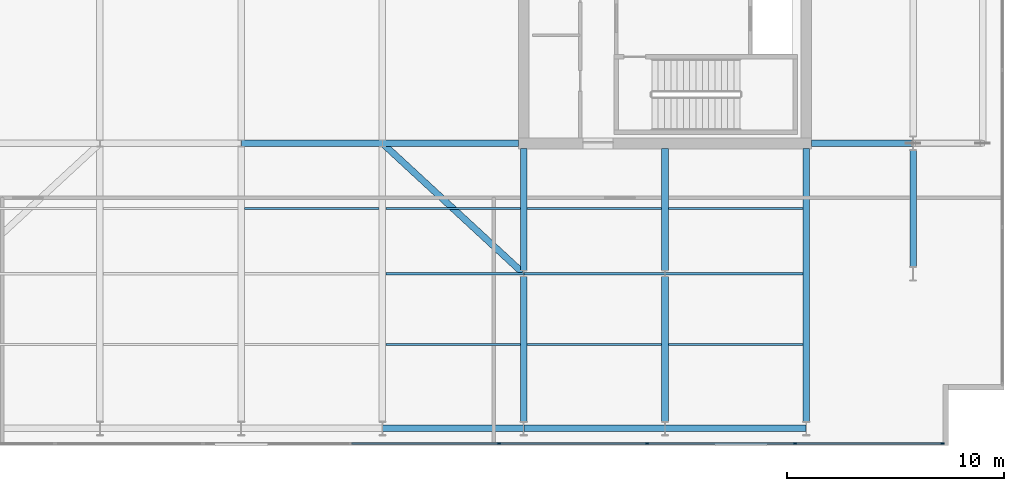
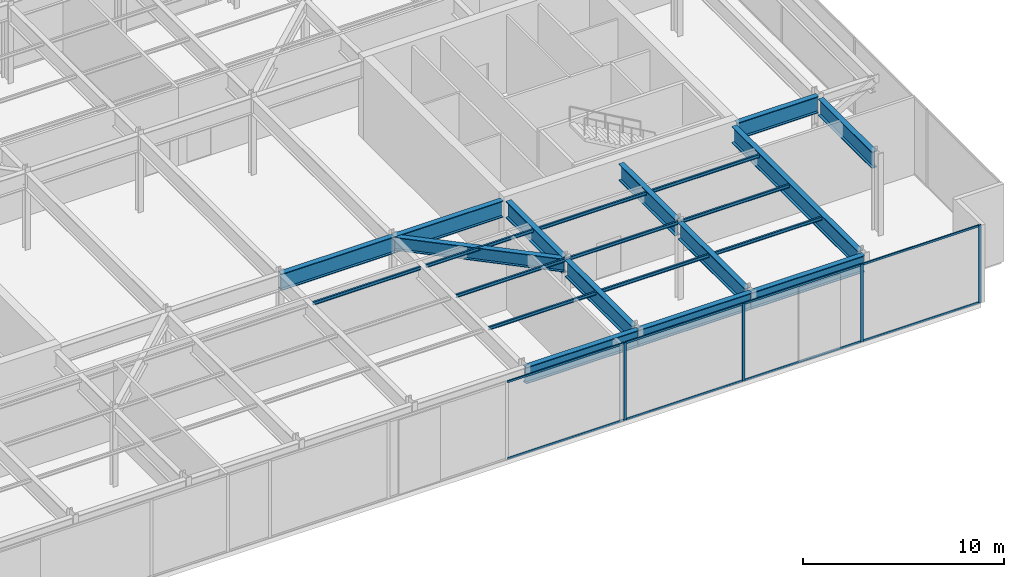
# One storey, part 9 of 23: 23 beams, 12 members, 1 element without a shape of its own.
"""IFC4 building model written with IfcOpenShell, lengths in metres."""

import ifcopenshell
import ifcopenshell.guid

model = None  # the IFC model being written
_history = None  # IfcOwnerHistory: only IFC2X3 demands one
_inside = {}  # id of a spatial element -> (the spatial element, [elements in it])
_under = {}  # id of a project, library or spatial element -> (it, [spatial elements below it])
_declared = {}  # id of a project -> (the project, [libraries it declares])
_typed = {}  # id of a type object -> (the type object, [elements of that type])
_made_of = {}  # id of a material, layer set ... -> (it, [elements and type objects made of it])


def new_model(schema):
    """Start an empty IFC model of exactly this schema.

    Asked for "IFC4X3", IfcOpenShell would pick the latest addendum, in which some entities
    have other attributes; the version numbers below select the first issue.
    IFC2X3 requires an IfcOwnerHistory on every rooted entity: one is made here for all.
    """
    global model, _history
    if schema == "IFC4X3":
        model = ifcopenshell.file(schema_version=(4, 3, 0, 0))
    else:
        model = ifcopenshell.file(schema=schema)
    _inside.clear()
    _under.clear()
    _declared.clear()
    _typed.clear()
    _made_of.clear()
    _history = None
    if model.schema == "IFC2X3":
        org = make("IfcOrganization", Name="unknown")
        user = make(
            "IfcPersonAndOrganization",
            ThePerson=make("IfcPerson", FamilyName="unknown"),
            TheOrganization=org,
        )
        app = make(
            "IfcApplication",
            ApplicationDeveloper=org,
            Version="unknown",
            ApplicationFullName="unknown",
            ApplicationIdentifier="unknown",
        )
        _history = make(
            "IfcOwnerHistory",
            OwningUser=user,
            OwningApplication=app,
            ChangeAction="ADDED",
            CreationDate=0,
        )
    return model


def make(cls, **values):
    """One entity of the class cls with the attributes given. An attribute that is None is left unset."""
    return model.create_entity(
        cls, **{name: value for name, value in values.items() if value is not None}
    )


def rooted(cls, **values):
    """An entity with a GlobalId (a new one), such as an element, a storey or a relation."""
    return make(cls, GlobalId=ifcopenshell.guid.new(), OwnerHistory=_history, **values)


def si_unit(unit_type, name, prefix=None):
    """IfcSIUnit, for example si_unit("LENGTHUNIT", "METRE", prefix="MILLI")."""
    return make("IfcSIUnit", UnitType=unit_type, Prefix=prefix, Name=name)


def assignment(units):
    """IfcUnitAssignment: the units of a project."""
    return None if units is None else make("IfcUnitAssignment", Units=units)


def point(xyz):
    """IfcCartesianPoint."""
    return None if xyz is None else make("IfcCartesianPoint", Coordinates=xyz)


def direction(xyz):
    """IfcDirection."""
    return None if xyz is None else make("IfcDirection", DirectionRatios=xyz)


def frame(location, z_axis=None, x_axis=None):
    """IfcAxis2Placement3D, a coordinate frame: its origin and axes. An axis left out is left unset."""
    return make(
        "IfcAxis2Placement3D",
        Location=point(location),
        Axis=direction(z_axis),
        RefDirection=direction(x_axis),
    )


def frame_2d(location, x_axis=None):
    """IfcAxis2Placement2D, a coordinate frame in the plane: its origin and x axis."""
    return make(
        "IfcAxis2Placement2D", Location=point(location), RefDirection=direction(x_axis)
    )


def origin():
    """The frame at (0, 0, 0) with its axes left unset."""
    return frame((0.0, 0.0, 0.0))


def origin_2d():
    """The frame at (0, 0) in the plane with its x axis left unset."""
    return frame_2d((0.0, 0.0))


def place(relative_to, where):
    """IfcLocalPlacement: puts the frame where relative to a parent placement (None: the world)."""
    return make(
        "IfcLocalPlacement", PlacementRelTo=relative_to, RelativePlacement=where
    )


def context(
    kind, dimensions, precision=None, world=None, true_north=None, identifier=None
):
    """IfcGeometricRepresentationContext, for example the 3D "Model" context."""
    return make(
        "IfcGeometricRepresentationContext",
        ContextIdentifier=identifier,
        ContextType=kind,
        CoordinateSpaceDimension=dimensions,
        Precision=precision,
        WorldCoordinateSystem=world,
        TrueNorth=true_north,
    )


def subcontext(parent, identifier, kind, view, scale=None):
    """IfcGeometricRepresentationSubContext, for example "Body" below "Model"."""
    return make(
        "IfcGeometricRepresentationSubContext",
        ContextIdentifier=identifier,
        ContextType=kind,
        ParentContext=parent,
        TargetScale=scale,
        TargetView=view,
    )


def project(units=None, contexts=None):
    """IfcProject with its units and contexts."""
    return rooted(
        "IfcProject",
        Name="project",
        RepresentationContexts=contexts,
        UnitsInContext=assignment(units),
    )


def spatial(cls, under=None, at=None, **own):
    """A site, building, storey or space (cls), placed at a placement, below another one or the project."""
    s = rooted(cls, ObjectPlacement=at, **own)
    if under is not None:
        _under.setdefault(under.id(), (under, []))[1].append(s)
    return s


def profile(cls, at=None, kind="AREA", **sizes):
    """A parametric profile (cls). Its sizes go by their IFC names, for example OverallWidth=200.0."""
    return make(cls, ProfileType=kind, Position=at, **sizes)


def rectangle(**sizes):
    """IfcRectangleProfileDef."""
    return profile("IfcRectangleProfileDef", **sizes)


def i_section(**sizes):
    """IfcIShapeProfileDef."""
    return profile("IfcIShapeProfileDef", **sizes)


def extrude(swept, where, along, depth):
    """IfcExtrudedAreaSolid: the profile swept, set in the frame where, extruded along a direction by depth."""
    return make(
        "IfcExtrudedAreaSolid",
        SweptArea=swept,
        Position=where,
        ExtrudedDirection=direction(along),
        Depth=depth,
    )


def shape(context_of_items, identifier, shape_type, items):
    """IfcShapeRepresentation: the items that make up one representation, for example the "Body"."""
    return make(
        "IfcShapeRepresentation",
        ContextOfItems=context_of_items,
        RepresentationIdentifier=identifier,
        RepresentationType=shape_type,
        Items=items,
    )


def material(Name=None, Category=None):
    """IfcMaterial."""
    return make("IfcMaterial", Name=Name, Category=Category)


def layer(
    of_material, thickness, ventilated=None, Name=None, Category=None, Priority=None
):
    """IfcMaterialLayer: one layer of a wall or slab, of a material (None: an air gap)."""
    return make(
        "IfcMaterialLayer",
        Material=of_material,
        LayerThickness=thickness,
        IsVentilated=ventilated,
        Name=Name,
        Category=Category,
        Priority=Priority,
    )


def layer_set(layers, Name=None):
    """IfcMaterialLayerSet."""
    return make("IfcMaterialLayerSet", MaterialLayers=layers, LayerSetName=Name)


def material_profile(
    of_material, cross_section, Name=None, Category=None, Priority=None
):
    """IfcMaterialProfile: a cross section and its material."""
    return make(
        "IfcMaterialProfile",
        Name=Name,
        Material=of_material,
        Profile=cross_section,
        Priority=Priority,
        Category=Category,
    )


def profile_set(profiles, Name=None, composite=None):
    """IfcMaterialProfileSet."""
    return make(
        "IfcMaterialProfileSet",
        Name=Name,
        MaterialProfiles=profiles,
        CompositeProfile=composite,
    )


def made_of(thing, what):
    """Note that an element or type object is made of a material, layer set ...; save() writes the relation."""
    if what is not None:
        _made_of.setdefault(what.id(), (what, []))[1].append(thing)
    return thing


def type_object(cls, material=None, **own):
    """A type object (cls), such as IfcWallType, which elements share."""
    return made_of(rooted(cls, **own), material)


def element(
    cls,
    number,
    at=None,
    inside=None,
    cuts=None,
    type_object=None,
    material=None,
    context=None,
    identifier="Body",
    shape_type=None,
    held_by="IfcProductDefinitionShape",
    body=None,
    shapes=None,
    **own,
):
    """One element of the class cls, such as IfcWall. Its Tag is "e" and its number.

    at: its placement. inside: the storey or other place that contains it. cuts: it is an
    opening in that element (IfcRelVoidsElement). A single representation is given by context,
    identifier, shape_type and body (its items); several are given by shapes. held_by: the class
    of the entity that holds the representations. save() writes the other relations.
    """
    e = rooted(cls, Tag="e%d" % number, ObjectPlacement=at, **own)
    if body is not None:
        shapes = [shape(context, identifier, shape_type, body)]
    if shapes is not None:
        e.Representation = make(held_by, Representations=shapes)
    if inside is not None:
        _inside.setdefault(inside.id(), (inside, []))[1].append(e)
    if cuts is not None:
        rooted(
            "IfcRelVoidsElement", RelatingBuildingElement=cuts, RelatedOpeningElement=e
        )
    if type_object is not None:
        _typed.setdefault(type_object.id(), (type_object, []))[1].append(e)
    return made_of(e, material)


def aggregate(whole, parts):
    """IfcRelAggregates: a whole, such as a stair, and the parts it consists of."""
    return rooted("IfcRelAggregates", RelatingObject=whole, RelatedObjects=parts)


def save(model, path):
    """Write the relations noted so far, then the file.

    IfcRelAggregates (storeys below a building ...), IfcRelContainedInSpatialStructure (elements
    in a storey), IfcRelDefinesByType, IfcRelAssociatesMaterial and IfcRelDeclares: one each for
    every whole, place, type object, material and project.
    """
    for whole, parts in _under.values():
        aggregate(whole, parts)
    for where, things in _inside.values():
        rooted(
            "IfcRelContainedInSpatialStructure",
            RelatedElements=things,
            RelatingStructure=where,
        )
    for kind, things in _typed.values():
        rooted("IfcRelDefinesByType", RelatedObjects=things, RelatingType=kind)
    for what, things in _made_of.values():
        rooted("IfcRelAssociatesMaterial", RelatedObjects=things, RelatingMaterial=what)
    for by, libraries in _declared.values():
        rooted("IfcRelDeclares", RelatingContext=by, RelatedDefinitions=libraries)
    model.write(path)


model = new_model("IFC4")

# Units and contexts
model_context = context("Model", 3, precision=1e-05, world=origin(), true_north=direction((0.0, 1.0)))
body_context = subcontext(model_context, "Body", "Model", "MODEL_VIEW")
ifc_project = project(units=[si_unit("LENGTHUNIT", "METRE"), si_unit("AREAUNIT", "SQUARE_METRE"), si_unit("VOLUMEUNIT", "CUBIC_METRE"), si_unit("PLANEANGLEUNIT", "RADIAN"), si_unit("MASSUNIT", "GRAM", prefix="KILO")], contexts=[model_context])

# Site, building, storey
site_placement = place(None, origin())
site = spatial("IfcSite", under=ifc_project, at=site_placement, CompositionType="ELEMENT")
building_placement = place(site_placement, origin())
building = spatial("IfcBuilding", under=site, at=building_placement, Name="Putna Gate Headquarters", CompositionType="ELEMENT")
storey_placement = place(building_placement, frame((0.0, 0.0, 310.39990234375)))
storey = spatial("IfcBuildingStorey", under=building, at=storey_placement, Name="L78", CompositionType="ELEMENT", Elevation=310.39990234375)

# Beams
ifc_material_1 = material(Name="Steel S355J2", Category="steel")
ifc_material_profile_1 = material_profile(ifc_material_1, i_section(OverallWidth=0.300048828125, OverallDepth=0.800048828125, WebThickness=0.017578125, FlangeThickness=0.032958984375, at=origin_2d()), Name="Steel S355J2")
ifc_profile_set_1 = profile_set([ifc_material_profile_1], Name="Steel S355J2")
beam_type_1 = type_object("IfcBeamType", Name="BM-GIRD-P-HEB800", PredefinedType="USERDEFINED", material=ifc_profile_set_1)
beam_1_placement = place(storey_placement, frame((51.92431640625, 13.06982421875, 4.320068359375), z_axis=(-0.734799111247, 0.678284797199, 0.0), x_axis=(-0.678284797199, -0.734799111247, 0.0)))
element("IfcBeam", 1, at=beam_1_placement, inside=storey, type_object=beam_type_1, Name="L78 Core Flank Collector Tie Girder SE", ObjectType="GIRDER", PredefinedType="USERDEFINED", context=body_context, shape_type="SweptSolid", body=[
    extrude(i_section(OverallWidth=0.300048828125, OverallDepth=0.800048828125, WebThickness=0.017578125, FlangeThickness=0.032958984375, at=origin_2d()), origin(), (0.0, 0.0, 1.0), 8.639892578125),
])
ifc_material_profile_2 = material_profile(ifc_material_1, i_section(OverallWidth=0.10009765625, OverallDepth=0.199951171875, WebThickness=0.005615234375, FlangeThickness=0.008544921875, at=origin_2d()), Name="Steel S355J2")
ifc_profile_set_2 = profile_set([ifc_material_profile_2], Name="Steel S355J2")
beam_type_2 = type_object("IfcBeamType", Name="BM-SEC-PLT-IPE200", PredefinedType="JOIST", material=ifc_profile_set_2)
for number, where, z_axis, x_axis, name in (
    (2, (39.155029296875, 16.0, 4.6201171875), (1.0, 0.0, 0.0), (0.0, 1.0, 0.0), "L78 South Secondary Beam 5"),
    (3, (45.655029296875, 9.75, 4.6201171875), (1.0, 0.0, 0.0), (0.0, 1.0, 0.0), "L78 South Secondary Beam 6"),
):
    element("IfcBeam", number, at=place(storey_placement, frame(where, z_axis=z_axis, x_axis=x_axis)), inside=storey, type_object=beam_type_2, Name=name, PredefinedType="JOIST", context=body_context, shape_type="SweptSolid", body=[
        extrude(i_section(OverallWidth=0.10009765625, OverallDepth=0.199951171875, WebThickness=0.005615234375, FlangeThickness=0.008544921875, at=origin_2d()), origin(), (0.0, 0.0, 1.0), 6.18994140625),
    ])
beam_2_placement = place(storey_placement, frame((45.655029296875, 13.0, 4.6201171875), z_axis=(1.0, 0.0, 0.0), x_axis=(0.0, 1.0, 0.0)))
element("IfcBeam", 4, at=beam_2_placement, inside=storey, type_object=beam_type_2, Name="L78 South Secondary Beam 6", PredefinedType="JOIST", context=body_context, shape_type="SweptSolid", body=[
    extrude(i_section(OverallWidth=0.10009765625, OverallDepth=0.199951171875, WebThickness=0.005615234375, FlangeThickness=0.008544921875, at=origin_2d()), origin(), (0.0, 0.0, 1.0), 6.3388671875),
])
for number, where, z_axis, x_axis, name in (
    (5, (45.655029296875, 16.0, 4.6201171875), (1.0, 0.0, 0.0), (0.0, 1.0, 0.0), "L78 South Secondary Beam 6"),
    (6, (52.155029296875, 9.75, 4.6201171875), (1.0, 0.0, 0.0), (0.0, 1.0, 0.0), "L78 South Secondary Beam 7"),
):
    element("IfcBeam", number, at=place(storey_placement, frame(where, z_axis=z_axis, x_axis=x_axis)), inside=storey, type_object=beam_type_2, Name=name, PredefinedType="JOIST", context=body_context, shape_type="SweptSolid", body=[
        extrude(i_section(OverallWidth=0.10009765625, OverallDepth=0.199951171875, WebThickness=0.005615234375, FlangeThickness=0.008544921875, at=origin_2d()), origin(), (0.0, 0.0, 1.0), 6.18994140625),
    ])
beam_3_placement = place(storey_placement, frame((52.006103515625, 13.0, 4.6201171875), z_axis=(1.0, 0.0, 0.0), x_axis=(0.0, 1.0, 0.0)))
element("IfcBeam", 7, at=beam_3_placement, inside=storey, type_object=beam_type_2, Name="L78 South Secondary Beam 7", PredefinedType="JOIST", context=body_context, shape_type="SweptSolid", body=[
    extrude(i_section(OverallWidth=0.10009765625, OverallDepth=0.199951171875, WebThickness=0.005615234375, FlangeThickness=0.008544921875, at=origin_2d()), origin(), (0.0, 0.0, 1.0), 6.48779296875),
])
for number, where, z_axis, x_axis, name in (
    (8, (52.155029296875, 16.0, 4.6201171875), (1.0, 0.0, 0.0), (0.0, 1.0, 0.0), "L78 South Secondary Beam 7"),
    (9, (58.655029296875, 9.75, 4.6201171875), (1.0, 0.0, 0.0), (0.0, 1.0, 0.0), "L78 South Secondary Beam 8"),
):
    element("IfcBeam", number, at=place(storey_placement, frame(where, z_axis=z_axis, x_axis=x_axis)), inside=storey, type_object=beam_type_2, Name=name, PredefinedType="JOIST", context=body_context, shape_type="SweptSolid", body=[
        extrude(i_section(OverallWidth=0.10009765625, OverallDepth=0.199951171875, WebThickness=0.005615234375, FlangeThickness=0.008544921875, at=origin_2d()), origin(), (0.0, 0.0, 1.0), 6.18994140625),
    ])
beam_4_placement = place(storey_placement, frame((58.506103515625, 13.0, 4.6201171875), z_axis=(1.0, 0.0, 0.0), x_axis=(0.0, 1.0, 0.0)))
element("IfcBeam", 10, at=beam_4_placement, inside=storey, type_object=beam_type_2, Name="L78 South Secondary Beam 8", PredefinedType="JOIST", context=body_context, shape_type="SweptSolid", body=[
    extrude(i_section(OverallWidth=0.10009765625, OverallDepth=0.199951171875, WebThickness=0.005615234375, FlangeThickness=0.008544921875, at=origin_2d()), origin(), (0.0, 0.0, 1.0), 6.3388671875),
])
beam_5_placement = place(storey_placement, frame((58.655029296875, 16.0, 4.6201171875), z_axis=(1.0, 0.0, 0.0), x_axis=(0.0, 1.0, 0.0)))
element("IfcBeam", 11, at=beam_5_placement, inside=storey, type_object=beam_type_2, Name="L78 South Secondary Beam 8", PredefinedType="JOIST", context=body_context, shape_type="SweptSolid", body=[
    extrude(i_section(OverallWidth=0.10009765625, OverallDepth=0.199951171875, WebThickness=0.005615234375, FlangeThickness=0.008544921875, at=origin_2d()), origin(), (0.0, 0.0, 1.0), 6.18994140625),
])
ifc_material_2 = material(Name="Steel S460M", Category="steel")
ifc_material_profile_3 = material_profile(ifc_material_2, i_section(OverallWidth=0.302001953125, OverallDepth=1.008056640625, WebThickness=0.02099609375, FlangeThickness=0.0400390625, at=origin_2d()), Name="Steel S460M")
ifc_profile_set_3 = profile_set([ifc_material_profile_3], Name="Steel S460M")
beam_type_3 = type_object("IfcBeamType", Name="BM-TG-HEM1000", PredefinedType="USERDEFINED", material=ifc_profile_set_3)
beam_6_placement = place(storey_placement, frame((65.235107421875, 19.0, 4.216064453125), z_axis=(1.0, 0.0, 0.0), x_axis=(0.0, 1.0, 0.0)))
element("IfcBeam", 12, at=beam_6_placement, inside=storey, type_object=beam_type_3, Name="L78 East Wing Girder Y19", ObjectType="GIRDER", PredefinedType="USERDEFINED", context=body_context, shape_type="SweptSolid", body=[
    extrude(i_section(OverallWidth=0.302001953125, OverallDepth=1.008056640625, WebThickness=0.02099609375, FlangeThickness=0.0400390625, at=origin_2d()), origin(), (0.0, 0.0, 1.0), 4.678955078125),
])
beam_7_placement = place(storey_placement, frame((52.0, 6.201904296875, 4.216064453125), z_axis=(0.0, 1.0, 0.0), x_axis=(-1.0, 0.0, 0.0)))
element("IfcBeam", 13, at=beam_7_placement, inside=storey, type_object=beam_type_3, Name="L78 South Primary Girder X52-1", ObjectType="GIRDER", PredefinedType="USERDEFINED", context=body_context, shape_type="SweptSolid", body=[
    extrude(i_section(OverallWidth=0.302001953125, OverallDepth=1.008056640625, WebThickness=0.02099609375, FlangeThickness=0.0400390625, at=origin_2d()), origin(), (0.0, 0.0, 1.0), 6.66015625),
])
beam_8_placement = place(storey_placement, frame((52.0, 13.137939453125, 4.216064453125), z_axis=(0.0, 1.0, 0.0), x_axis=(-1.0, 0.0, 0.0)))
element("IfcBeam", 14, at=beam_8_placement, inside=storey, type_object=beam_type_3, Name="L78 South Primary Girder X52-2", ObjectType="GIRDER", PredefinedType="USERDEFINED", context=body_context, shape_type="SweptSolid", body=[
    extrude(i_section(OverallWidth=0.302001953125, OverallDepth=1.008056640625, WebThickness=0.02099609375, FlangeThickness=0.0400390625, at=origin_2d()), origin(), (0.0, 0.0, 1.0), 5.626953125),
])
beam_9_placement = place(storey_placement, frame((58.5, 6.201904296875, 4.216064453125), z_axis=(0.0, 1.0, 0.0), x_axis=(-1.0, 0.0, 0.0)))
element("IfcBeam", 15, at=beam_9_placement, inside=storey, type_object=beam_type_3, Name="L78 South Primary Girder X58-1", ObjectType="GIRDER", PredefinedType="USERDEFINED", context=body_context, shape_type="SweptSolid", body=[
    extrude(i_section(OverallWidth=0.302001953125, OverallDepth=1.008056640625, WebThickness=0.02099609375, FlangeThickness=0.0400390625, at=origin_2d()), origin(), (0.0, 0.0, 1.0), 6.66015625),
])
beam_10_placement = place(storey_placement, frame((58.5, 13.137939453125, 4.216064453125), z_axis=(0.0, 1.0, 0.0), x_axis=(-1.0, 0.0, 0.0)))
element("IfcBeam", 16, at=beam_10_placement, inside=storey, type_object=beam_type_3, Name="L78 South Primary Girder X58-2", ObjectType="GIRDER", PredefinedType="USERDEFINED", context=body_context, shape_type="SweptSolid", body=[
    extrude(i_section(OverallWidth=0.302001953125, OverallDepth=1.008056640625, WebThickness=0.02099609375, FlangeThickness=0.0400390625, at=origin_2d()), origin(), (0.0, 0.0, 1.0), 5.626953125),
])
beam_11_placement = place(storey_placement, frame((65.0, 6.201904296875, 4.216064453125), z_axis=(0.0, 1.0, 0.0), x_axis=(-1.0, 0.0, 0.0)))
element("IfcBeam", 17, at=beam_11_placement, inside=storey, type_object=beam_type_3, Name="L78 South Primary Girder X65", ObjectType="GIRDER", PredefinedType="USERDEFINED", context=body_context, shape_type="SweptSolid", body=[
    extrude(i_section(OverallWidth=0.302001953125, OverallDepth=1.008056640625, WebThickness=0.02099609375, FlangeThickness=0.0400390625, at=origin_2d()), origin(), (0.0, 0.0, 1.0), 12.56298828125),
])
beam_12_placement = place(storey_placement, frame((39.006103515625, 19.0, 4.216064453125), z_axis=(1.0, 0.0, 0.0), x_axis=(0.0, 1.0, 0.0)))
element("IfcBeam", 18, at=beam_12_placement, inside=storey, type_object=beam_type_3, Name="L78 Atrium Edge Beam AS3", ObjectType="GIRDER", PredefinedType="USERDEFINED", context=body_context, shape_type="SweptSolid", body=[
    extrude(i_section(OverallWidth=0.302001953125, OverallDepth=1.008056640625, WebThickness=0.02099609375, FlangeThickness=0.0400390625, at=origin_2d()), origin(), (0.0, 0.0, 1.0), 6.48779296875),
])
beam_13_placement = place(storey_placement, frame((45.506103515625, 19.0, 4.216064453125), z_axis=(1.0, 0.0, 0.0), x_axis=(0.0, 1.0, 0.0)))
element("IfcBeam", 19, at=beam_13_placement, inside=storey, type_object=beam_type_3, Name="L78 Atrium Edge Beam AS4", ObjectType="GIRDER", PredefinedType="USERDEFINED", context=body_context, shape_type="SweptSolid", body=[
    extrude(i_section(OverallWidth=0.302001953125, OverallDepth=1.008056640625, WebThickness=0.02099609375, FlangeThickness=0.0400390625, at=origin_2d()), origin(), (0.0, 0.0, 1.0), 6.2587890625),
])
ifc_material_profile_4 = material_profile(ifc_material_2, i_section(OverallWidth=0.302001953125, OverallDepth=1.008056640625, WebThickness=0.02099609375, FlangeThickness=0.0400390625, at=origin_2d()), Name="Steel S460M")
ifc_profile_set_4 = profile_set([ifc_material_profile_4], Name="Steel S460M")
beam_type_4 = type_object("IfcBeamType", Name="BM-TG-HEM1000-EXT", PredefinedType="USERDEFINED", material=ifc_profile_set_4)
for number, where, z_axis, x_axis, name in (
    (20, (45.506103515625, 5.8798828125, 4.216064453125), (1.0, 0.0, 0.0), (0.0, 1.0, 0.0), "L78 S Perimeter Spandrel 6"),
    (21, (52.006103515625, 5.8798828125, 4.216064453125), (1.0, 0.0, 0.0), (0.0, 1.0, 0.0), "L78 S Perimeter Spandrel 7"),
    (22, (58.506103515625, 5.8798828125, 4.216064453125), (1.0, 0.0, 0.0), (0.0, 1.0, 0.0), "L78 S Perimeter Spandrel 8"),
):
    element("IfcBeam", number, at=place(storey_placement, frame(where, z_axis=z_axis, x_axis=x_axis)), inside=storey, type_object=beam_type_4, Name=name, ObjectType="GIRDER", PredefinedType="USERDEFINED", context=body_context, shape_type="SweptSolid", body=[
        extrude(i_section(OverallWidth=0.302001953125, OverallDepth=1.008056640625, WebThickness=0.02099609375, FlangeThickness=0.0400390625, at=origin_2d()), origin(), (0.0, 0.0, 1.0), 6.48779296875),
    ])
beam_14_placement = place(storey_placement, frame((69.919921875, 13.322021484375, 4.216064453125), z_axis=(0.0, 1.0, 0.0), x_axis=(-1.0, 0.0, 0.0)))
element("IfcBeam", 23, at=beam_14_placement, inside=storey, type_object=beam_type_4, Name="L78 E End Spandrel 1", ObjectType="GIRDER", PredefinedType="USERDEFINED", context=body_context, shape_type="SweptSolid", body=[
    extrude(i_section(OverallWidth=0.302001953125, OverallDepth=1.008056640625, WebThickness=0.02099609375, FlangeThickness=0.0400390625, at=origin_2d()), origin(), (0.0, 0.0, 1.0), 5.35595703125),
])

# Curtain wall, members
ifc_material_3 = material(Name="Anodised bronze aluminium curtain wall", Category="aluminium")
ifc_layer = layer(ifc_material_3, 0.159912109375)
ifc_layer_set = layer_set([ifc_layer], Name="Anodised bronze aluminium curtain wall")
curtain_wall_type = type_object("IfcCurtainWallType", Name="CW-SYS-CRN", PredefinedType="USERDEFINED", material=ifc_layer_set)
curtain_wall_placement = place(storey_placement, origin())
curtain_wall = element("IfcCurtainWall", 24, at=curtain_wall_placement, inside=storey, type_object=curtain_wall_type, Name="L78 Acoustic Louvre South Enclosure", ObjectType="STICK CURTAIN WALL", PredefinedType="USERDEFINED")
ifc_material_4 = material(Name="Anodised bronze aluminium EN AW-6060", Category="aluminium")
ifc_material_profile_5 = material_profile(ifc_material_4, rectangle(XDim=0.06494140625, YDim=0.159912109375, at=origin_2d()), Name="Anodised bronze aluminium EN AW-6060")
ifc_profile_set_5 = profile_set([ifc_material_profile_5], Name="Anodised bronze aluminium EN AW-6060")
member_type_1 = type_object("IfcMemberType", Name="MULL-CWM-CR", PredefinedType="MULLION", material=ifc_profile_set_5)
member_1_placement = place(storey_placement, frame((50.86669921875, 5.179931640625, 0.0), z_axis=(0.0, 0.0, 1.0), x_axis=(0.0, 1.0, 0.0)))
member_1 = element("IfcMember", 25, at=member_1_placement, type_object=member_type_1, Name="CWS-CR mullion 7", PredefinedType="MULLION", context=body_context, shape_type="SweptSolid", body=[
    extrude(rectangle(XDim=0.06494140625, YDim=0.159912109375, at=origin_2d()), origin(), (0.0, 0.0, 1.0), 4.72021484375),
])
member_2_placement = place(storey_placement, frame((57.677734375, 5.179931640625, 0.0), z_axis=(0.0, 0.0, 1.0), x_axis=(0.0, 1.0, 0.0)))
member_2 = element("IfcMember", 26, at=member_2_placement, type_object=member_type_1, Name="CWS-CR mullion 8", PredefinedType="MULLION", context=body_context, shape_type="SweptSolid", body=[
    extrude(rectangle(XDim=0.06494140625, YDim=0.159912109375, at=origin_2d()), origin(), (0.0, 0.0, 1.0), 4.72021484375),
])
member_3_placement = place(storey_placement, frame((64.48876953125, 5.179931640625, 0.0), z_axis=(0.0, 0.0, 1.0), x_axis=(0.0, 1.0, 0.0)))
member_3 = element("IfcMember", 27, at=member_3_placement, type_object=member_type_1, Name="CWS-CR mullion 9", PredefinedType="MULLION", context=body_context, shape_type="SweptSolid", body=[
    extrude(rectangle(XDim=0.06494140625, YDim=0.159912109375, at=origin_2d()), origin(), (0.0, 0.0, 1.0), 4.72021484375),
])
member_4_placement = place(storey_placement, frame((71.267578125, 5.179931640625, 0.0), z_axis=(0.0, 0.0, 1.0), x_axis=(0.0, 1.0, 0.0)))
member_4 = element("IfcMember", 28, at=member_4_placement, type_object=member_type_1, Name="CWS-CR mullion 10", PredefinedType="MULLION", context=body_context, shape_type="SweptSolid", body=[
    extrude(rectangle(XDim=0.06494140625, YDim=0.159912109375, at=origin_2d()), origin(), (0.0, 0.0, 1.0), 4.72021484375),
])
ifc_material_profile_6 = material_profile(ifc_material_4, rectangle(XDim=0.06494140625, YDim=0.1201171875, at=origin_2d()), Name="Anodised bronze aluminium EN AW-6060")
ifc_profile_set_6 = profile_set([ifc_material_profile_6], Name="Anodised bronze aluminium EN AW-6060")
member_type_2 = type_object("IfcMemberType", Name="TRAN-CWT-CR", PredefinedType="USERDEFINED", material=ifc_profile_set_6)
member_5_placement = place(storey_placement, frame((44.088134765625, 5.179931640625, 0.03271484375), z_axis=(1.0, 0.0, 0.0), x_axis=(0.0, 1.0, 0.0)))
member_5 = element("IfcMember", 29, at=member_5_placement, type_object=member_type_2, Name="CWS-CR transom 6.1", ObjectType="TRANSOM", PredefinedType="USERDEFINED", context=body_context, shape_type="SweptSolid", body=[
    extrude(rectangle(XDim=0.06494140625, YDim=0.1201171875, at=origin_2d()), origin(), (0.0, 0.0, 1.0), 6.74609375),
])
member_6_placement = place(storey_placement, frame((44.088134765625, 5.179931640625, 4.6875), z_axis=(1.0, 0.0, 0.0), x_axis=(0.0, 1.0, 0.0)))
member_6 = element("IfcMember", 30, at=member_6_placement, type_object=member_type_2, Name="CWS-CR transom 6.2", ObjectType="TRANSOM", PredefinedType="USERDEFINED", context=body_context, shape_type="SweptSolid", body=[
    extrude(rectangle(XDim=0.06494140625, YDim=0.1201171875, at=origin_2d()), origin(), (0.0, 0.0, 1.0), 6.74609375),
])
member_7_placement = place(storey_placement, frame((50.899169921875, 5.179931640625, 0.03271484375), z_axis=(1.0, 0.0, 0.0), x_axis=(0.0, 1.0, 0.0)))
member_7 = element("IfcMember", 31, at=member_7_placement, type_object=member_type_2, Name="CWS-CR transom 7.1", ObjectType="TRANSOM", PredefinedType="USERDEFINED", context=body_context, shape_type="SweptSolid", body=[
    extrude(rectangle(XDim=0.06494140625, YDim=0.1201171875, at=origin_2d()), origin(), (0.0, 0.0, 1.0), 6.74609375),
])
member_8_placement = place(storey_placement, frame((50.899169921875, 5.179931640625, 4.6875), z_axis=(1.0, 0.0, 0.0), x_axis=(0.0, 1.0, 0.0)))
member_8 = element("IfcMember", 32, at=member_8_placement, type_object=member_type_2, Name="CWS-CR transom 7.2", ObjectType="TRANSOM", PredefinedType="USERDEFINED", context=body_context, shape_type="SweptSolid", body=[
    extrude(rectangle(XDim=0.06494140625, YDim=0.1201171875, at=origin_2d()), origin(), (0.0, 0.0, 1.0), 6.74609375),
])
member_9_placement = place(storey_placement, frame((57.710205078125, 5.179931640625, 0.03271484375), z_axis=(1.0, 0.0, 0.0), x_axis=(0.0, 1.0, 0.0)))
member_9 = element("IfcMember", 33, at=member_9_placement, type_object=member_type_2, Name="CWS-CR transom 8.1", ObjectType="TRANSOM", PredefinedType="USERDEFINED", context=body_context, shape_type="SweptSolid", body=[
    extrude(rectangle(XDim=0.06494140625, YDim=0.1201171875, at=origin_2d()), origin(), (0.0, 0.0, 1.0), 6.74609375),
])
member_10_placement = place(storey_placement, frame((57.710205078125, 5.179931640625, 4.6875), z_axis=(1.0, 0.0, 0.0), x_axis=(0.0, 1.0, 0.0)))
member_10 = element("IfcMember", 34, at=member_10_placement, type_object=member_type_2, Name="CWS-CR transom 8.2", ObjectType="TRANSOM", PredefinedType="USERDEFINED", context=body_context, shape_type="SweptSolid", body=[
    extrude(rectangle(XDim=0.06494140625, YDim=0.1201171875, at=origin_2d()), origin(), (0.0, 0.0, 1.0), 6.74609375),
])
member_11_placement = place(storey_placement, frame((64.521484375, 5.179931640625, 0.03271484375), z_axis=(1.0, 0.0, 0.0), x_axis=(0.0, 1.0, 0.0)))
member_11 = element("IfcMember", 35, at=member_11_placement, type_object=member_type_2, Name="CWS-CR transom 9.1", ObjectType="TRANSOM", PredefinedType="USERDEFINED", context=body_context, shape_type="SweptSolid", body=[
    extrude(rectangle(XDim=0.06494140625, YDim=0.1201171875, at=origin_2d()), origin(), (0.0, 0.0, 1.0), 6.713623046875),
])
member_12_placement = place(storey_placement, frame((64.521484375, 5.179931640625, 4.6875), z_axis=(1.0, 0.0, 0.0), x_axis=(0.0, 1.0, 0.0)))
member_12 = element("IfcMember", 36, at=member_12_placement, type_object=member_type_2, Name="CWS-CR transom 9.2", ObjectType="TRANSOM", PredefinedType="USERDEFINED", context=body_context, shape_type="SweptSolid", body=[
    extrude(rectangle(XDim=0.06494140625, YDim=0.1201171875, at=origin_2d()), origin(), (0.0, 0.0, 1.0), 6.713623046875),
])
aggregate(curtain_wall, [member_1, member_2, member_3, member_4, member_5, member_6, member_7, member_8, member_9, member_10, member_11, member_12])

save(model, "model.ifc")
